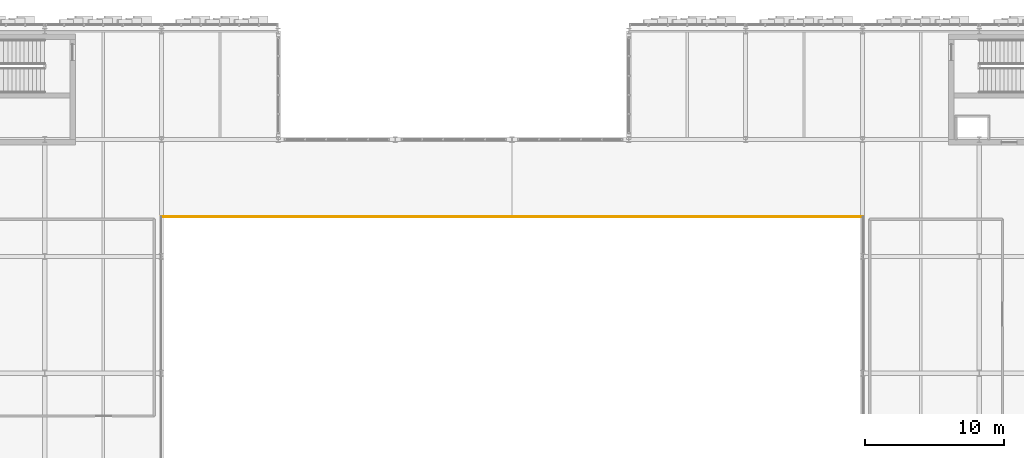
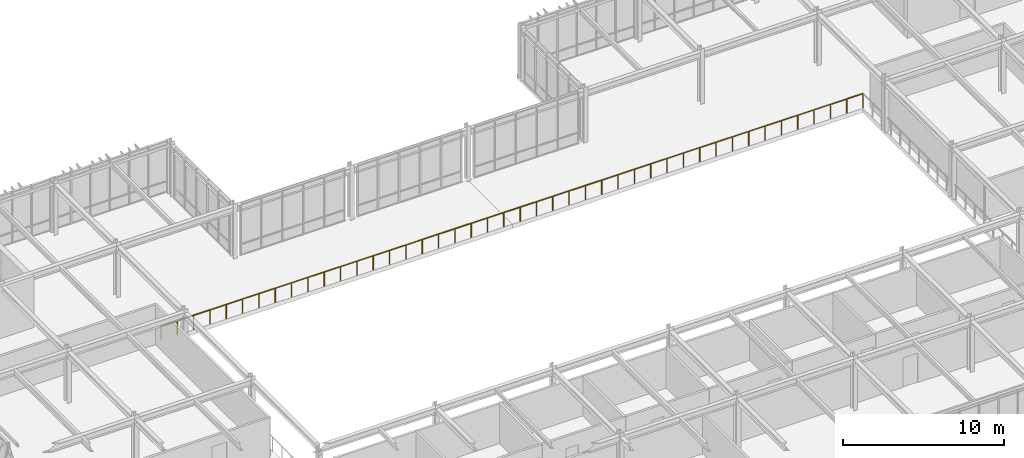
# One storey, part 123 of 127: 1 railing.
"""IFC4 building model written with IfcOpenShell, lengths in metres."""

from ifc_helpers import new_model, si_unit, direction, frame, origin, origin_2d, place, context, subcontext, project, spatial, circle, extrude, material, type_object, element, save


model = new_model("IFC4")

# Units and contexts
model_context = context("Model", 3, precision=1e-05, world=origin(), true_north=direction((0.0, 1.0)))
body_context = subcontext(model_context, "Body", "Model", "MODEL_VIEW")
ifc_project = project(units=[si_unit("LENGTHUNIT", "METRE"), si_unit("AREAUNIT", "SQUARE_METRE"), si_unit("VOLUMEUNIT", "CUBIC_METRE"), si_unit("PLANEANGLEUNIT", "RADIAN"), si_unit("MASSUNIT", "GRAM", prefix="KILO")], contexts=[model_context])

# Site, building, storey
site_placement = place(None, origin())
site = spatial("IfcSite", under=ifc_project, at=site_placement, CompositionType="ELEMENT")
building_placement = place(site_placement, origin())
building = spatial("IfcBuilding", under=site, at=building_placement, Name="Zayran Congress Hotel", CompositionType="ELEMENT")
storey_placement = place(building_placement, frame((0.0, 0.0, 10.800048828125)))
storey = spatial("IfcBuildingStorey", under=building, at=storey_placement, Name="L02", CompositionType="ELEMENT", Elevation=10.800048828125)

# Railing
ifc_material = material(Name="Painted steel balustrade", Category="steel")
railing_type = type_object("IfcRailingType", Name="TP-GRD-INT", PredefinedType="GUARDRAIL", material=ifc_material)
railing_placement = place(storey_placement, frame((75.64990234375, 104.050048828125, 0.0)))
element("IfcRailing", 1, at=railing_placement, inside=storey, type_object=railing_type, Name="V1 L02 Interior Void Guardrail V1-L02-AUD-N", PredefinedType="GUARDRAIL", context=body_context, shape_type="SweptSolid", body=[
    extrude(circle(Radius=0.02392578125, at=origin_2d()), frame((0.0, 0.0, 1.076171875), z_axis=(-1.0, 0.0, 0.0), x_axis=(0.0, -1.0, 0.0)), (0.0, 0.0, 1.0), 50.5),
    extrude(circle(Radius=0.02099609375, at=origin_2d()), origin(), (0.0, 0.0, 1.0), 1.052001953125),
    extrude(circle(Radius=0.02099609375, at=origin_2d()), frame((-1.17431640625, 0.0, 0.0)), (0.0, 0.0, 1.0), 1.052001953125),
    extrude(circle(Radius=0.02099609375, at=origin_2d()), frame((-2.348876953125, 0.0, 0.0)), (0.0, 0.0, 1.0), 1.052001953125),
    extrude(circle(Radius=0.02099609375, at=origin_2d()), frame((-3.523193359375, 0.0, 0.0)), (0.0, 0.0, 1.0), 1.052001953125),
    extrude(circle(Radius=0.02099609375, at=origin_2d()), frame((-4.69775390625, 0.0, 0.0)), (0.0, 0.0, 1.0), 1.052001953125),
    extrude(circle(Radius=0.02099609375, at=origin_2d()), frame((-5.8720703125, 0.0, 0.0)), (0.0, 0.0, 1.0), 1.052001953125),
    extrude(circle(Radius=0.02099609375, at=origin_2d()), frame((-7.046630859375, 0.0, 0.0)), (0.0, 0.0, 1.0), 1.052001953125),
    extrude(circle(Radius=0.02099609375, at=origin_2d()), frame((-8.220947265625, 0.0, 0.0)), (0.0, 0.0, 1.0), 1.052001953125),
    extrude(circle(Radius=0.02099609375, at=origin_2d()), frame((-9.395263671875, 0.0, 0.0)), (0.0, 0.0, 1.0), 1.052001953125),
    extrude(circle(Radius=0.02099609375, at=origin_2d()), frame((-10.56982421875, 0.0, 0.0)), (0.0, 0.0, 1.0), 1.052001953125),
    extrude(circle(Radius=0.02099609375, at=origin_2d()), frame((-11.744140625, 0.0, 0.0)), (0.0, 0.0, 1.0), 1.052001953125),
    extrude(circle(Radius=0.02099609375, at=origin_2d()), frame((-12.918701171875, 0.0, 0.0)), (0.0, 0.0, 1.0), 1.052001953125),
    extrude(circle(Radius=0.02099609375, at=origin_2d()), frame((-14.093017578125, 0.0, 0.0)), (0.0, 0.0, 1.0), 1.052001953125),
    extrude(circle(Radius=0.02099609375, at=origin_2d()), frame((-15.267333984375, 0.0, 0.0)), (0.0, 0.0, 1.0), 1.052001953125),
    extrude(circle(Radius=0.02099609375, at=origin_2d()), frame((-16.44189453125, 0.0, 0.0)), (0.0, 0.0, 1.0), 1.052001953125),
    extrude(circle(Radius=0.02099609375, at=origin_2d()), frame((-17.6162109375, 0.0, 0.0)), (0.0, 0.0, 1.0), 1.052001953125),
    extrude(circle(Radius=0.02099609375, at=origin_2d()), frame((-18.790771484375, 0.0, 0.0)), (0.0, 0.0, 1.0), 1.052001953125),
    extrude(circle(Radius=0.02099609375, at=origin_2d()), frame((-19.965087890625, 0.0, 0.0)), (0.0, 0.0, 1.0), 1.052001953125),
    extrude(circle(Radius=0.02099609375, at=origin_2d()), frame((-21.1396484375, 0.0, 0.0)), (0.0, 0.0, 1.0), 1.052001953125),
    extrude(circle(Radius=0.02099609375, at=origin_2d()), frame((-22.31396484375, 0.0, 0.0)), (0.0, 0.0, 1.0), 1.052001953125),
    extrude(circle(Radius=0.02099609375, at=origin_2d()), frame((-23.48828125, 0.0, 0.0)), (0.0, 0.0, 1.0), 1.052001953125),
    extrude(circle(Radius=0.02099609375, at=origin_2d()), frame((-24.662841796875, 0.0, 0.0)), (0.0, 0.0, 1.0), 1.052001953125),
    extrude(circle(Radius=0.02099609375, at=origin_2d()), frame((-25.837158203125, 0.0, 0.0)), (0.0, 0.0, 1.0), 1.052001953125),
    extrude(circle(Radius=0.02099609375, at=origin_2d()), frame((-27.01171875, 0.0, 0.0)), (0.0, 0.0, 1.0), 1.052001953125),
    extrude(circle(Radius=0.02099609375, at=origin_2d()), frame((-28.18603515625, 0.0, 0.0)), (0.0, 0.0, 1.0), 1.052001953125),
    extrude(circle(Radius=0.02099609375, at=origin_2d()), frame((-29.3603515625, 0.0, 0.0)), (0.0, 0.0, 1.0), 1.052001953125),
    extrude(circle(Radius=0.02099609375, at=origin_2d()), frame((-30.534912109375, 0.0, 0.0)), (0.0, 0.0, 1.0), 1.052001953125),
    extrude(circle(Radius=0.02099609375, at=origin_2d()), frame((-31.709228515625, 0.0, 0.0)), (0.0, 0.0, 1.0), 1.052001953125),
    extrude(circle(Radius=0.02099609375, at=origin_2d()), frame((-32.8837890625, 0.0, 0.0)), (0.0, 0.0, 1.0), 1.052001953125),
    extrude(circle(Radius=0.02099609375, at=origin_2d()), frame((-34.05810546875, 0.0, 0.0)), (0.0, 0.0, 1.0), 1.052001953125),
    extrude(circle(Radius=0.02099609375, at=origin_2d()), frame((-35.232666015625, 0.0, 0.0)), (0.0, 0.0, 1.0), 1.052001953125),
    extrude(circle(Radius=0.02099609375, at=origin_2d()), frame((-36.406982421875, 0.0, 0.0)), (0.0, 0.0, 1.0), 1.052001953125),
    extrude(circle(Radius=0.02099609375, at=origin_2d()), frame((-37.581298828125, 0.0, 0.0)), (0.0, 0.0, 1.0), 1.052001953125),
    extrude(circle(Radius=0.02099609375, at=origin_2d()), frame((-38.755859375, 0.0, 0.0)), (0.0, 0.0, 1.0), 1.052001953125),
    extrude(circle(Radius=0.02099609375, at=origin_2d()), frame((-39.93017578125, 0.0, 0.0)), (0.0, 0.0, 1.0), 1.052001953125),
    extrude(circle(Radius=0.02099609375, at=origin_2d()), frame((-41.104736328125, 0.0, 0.0)), (0.0, 0.0, 1.0), 1.052001953125),
    extrude(circle(Radius=0.02099609375, at=origin_2d()), frame((-42.279052734375, 0.0, 0.0)), (0.0, 0.0, 1.0), 1.052001953125),
    extrude(circle(Radius=0.02099609375, at=origin_2d()), frame((-43.453369140625, 0.0, 0.0)), (0.0, 0.0, 1.0), 1.052001953125),
    extrude(circle(Radius=0.02099609375, at=origin_2d()), frame((-44.6279296875, 0.0, 0.0)), (0.0, 0.0, 1.0), 1.052001953125),
    extrude(circle(Radius=0.02099609375, at=origin_2d()), frame((-45.80224609375, 0.0, 0.0)), (0.0, 0.0, 1.0), 1.052001953125),
    extrude(circle(Radius=0.02099609375, at=origin_2d()), frame((-46.976806640625, 0.0, 0.0)), (0.0, 0.0, 1.0), 1.052001953125),
    extrude(circle(Radius=0.02099609375, at=origin_2d()), frame((-48.151123046875, 0.0, 0.0)), (0.0, 0.0, 1.0), 1.052001953125),
    extrude(circle(Radius=0.02099609375, at=origin_2d()), frame((-49.32568359375, 0.0, 0.0)), (0.0, 0.0, 1.0), 1.052001953125),
    extrude(circle(Radius=0.02099609375, at=origin_2d()), frame((-50.5, 0.0, 0.0)), (0.0, 0.0, 1.0), 1.052001953125),
])

save(model, "model.ifc")
